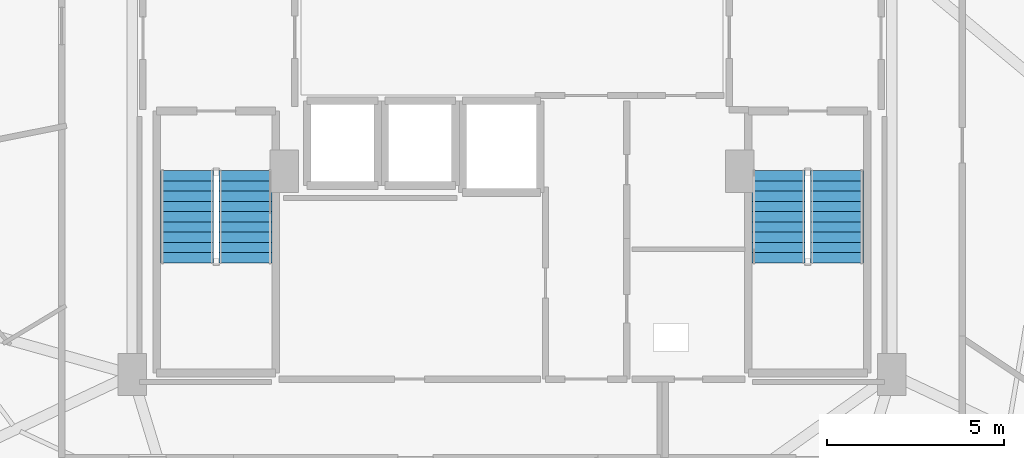
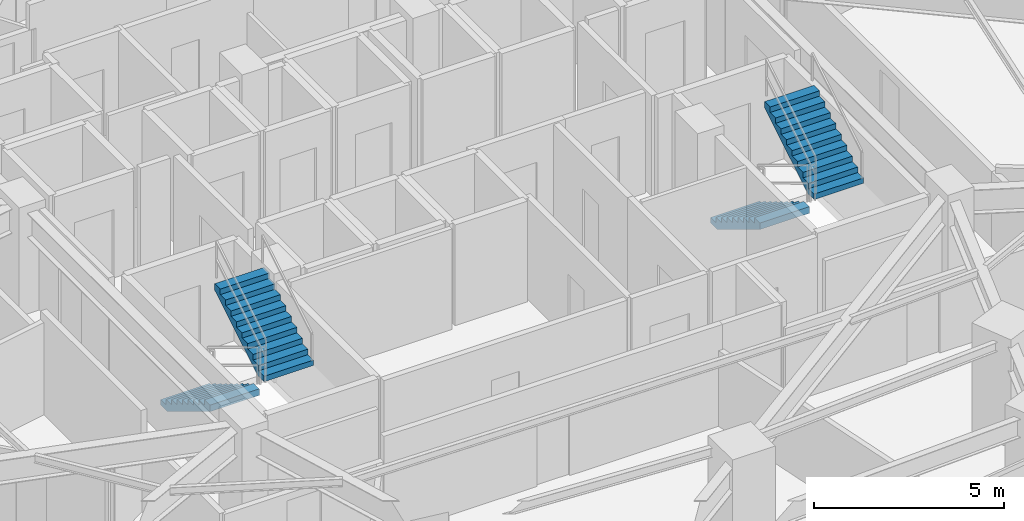
# One storey, part 30 of 33: 4 stair flights, 2 elements without a shape of their own.
"""IFC4 building model written with IfcOpenShell, lengths in metres."""

import ifcopenshell
import ifcopenshell.guid

model = None  # the IFC model being written
_history = None  # IfcOwnerHistory: only IFC2X3 demands one
_inside = {}  # id of a spatial element -> (the spatial element, [elements in it])
_under = {}  # id of a project, library or spatial element -> (it, [spatial elements below it])
_declared = {}  # id of a project -> (the project, [libraries it declares])
_typed = {}  # id of a type object -> (the type object, [elements of that type])
_made_of = {}  # id of a material, layer set ... -> (it, [elements and type objects made of it])


def new_model(schema):
    """Start an empty IFC model of exactly this schema.

    Asked for "IFC4X3", IfcOpenShell would pick the latest addendum, in which some entities
    have other attributes; the version numbers below select the first issue.
    IFC2X3 requires an IfcOwnerHistory on every rooted entity: one is made here for all.
    """
    global model, _history
    if schema == "IFC4X3":
        model = ifcopenshell.file(schema_version=(4, 3, 0, 0))
    else:
        model = ifcopenshell.file(schema=schema)
    _inside.clear()
    _under.clear()
    _declared.clear()
    _typed.clear()
    _made_of.clear()
    _history = None
    if model.schema == "IFC2X3":
        org = make("IfcOrganization", Name="unknown")
        user = make(
            "IfcPersonAndOrganization",
            ThePerson=make("IfcPerson", FamilyName="unknown"),
            TheOrganization=org,
        )
        app = make(
            "IfcApplication",
            ApplicationDeveloper=org,
            Version="unknown",
            ApplicationFullName="unknown",
            ApplicationIdentifier="unknown",
        )
        _history = make(
            "IfcOwnerHistory",
            OwningUser=user,
            OwningApplication=app,
            ChangeAction="ADDED",
            CreationDate=0,
        )
    return model


def make(cls, **values):
    """One entity of the class cls with the attributes given. An attribute that is None is left unset."""
    return model.create_entity(
        cls, **{name: value for name, value in values.items() if value is not None}
    )


def rooted(cls, **values):
    """An entity with a GlobalId (a new one), such as an element, a storey or a relation."""
    return make(cls, GlobalId=ifcopenshell.guid.new(), OwnerHistory=_history, **values)


def si_unit(unit_type, name, prefix=None):
    """IfcSIUnit, for example si_unit("LENGTHUNIT", "METRE", prefix="MILLI")."""
    return make("IfcSIUnit", UnitType=unit_type, Prefix=prefix, Name=name)


def assignment(units):
    """IfcUnitAssignment: the units of a project."""
    return None if units is None else make("IfcUnitAssignment", Units=units)


def point(xyz):
    """IfcCartesianPoint."""
    return None if xyz is None else make("IfcCartesianPoint", Coordinates=xyz)


def direction(xyz):
    """IfcDirection."""
    return None if xyz is None else make("IfcDirection", DirectionRatios=xyz)


def frame(location, z_axis=None, x_axis=None):
    """IfcAxis2Placement3D, a coordinate frame: its origin and axes. An axis left out is left unset."""
    return make(
        "IfcAxis2Placement3D",
        Location=point(location),
        Axis=direction(z_axis),
        RefDirection=direction(x_axis),
    )


def origin():
    """The frame at (0, 0, 0) with its axes left unset."""
    return frame((0.0, 0.0, 0.0))


def place(relative_to, where):
    """IfcLocalPlacement: puts the frame where relative to a parent placement (None: the world)."""
    return make(
        "IfcLocalPlacement", PlacementRelTo=relative_to, RelativePlacement=where
    )


def context(
    kind, dimensions, precision=None, world=None, true_north=None, identifier=None
):
    """IfcGeometricRepresentationContext, for example the 3D "Model" context."""
    return make(
        "IfcGeometricRepresentationContext",
        ContextIdentifier=identifier,
        ContextType=kind,
        CoordinateSpaceDimension=dimensions,
        Precision=precision,
        WorldCoordinateSystem=world,
        TrueNorth=true_north,
    )


def subcontext(parent, identifier, kind, view, scale=None):
    """IfcGeometricRepresentationSubContext, for example "Body" below "Model"."""
    return make(
        "IfcGeometricRepresentationSubContext",
        ContextIdentifier=identifier,
        ContextType=kind,
        ParentContext=parent,
        TargetScale=scale,
        TargetView=view,
    )


def project(units=None, contexts=None):
    """IfcProject with its units and contexts."""
    return rooted(
        "IfcProject",
        Name="project",
        RepresentationContexts=contexts,
        UnitsInContext=assignment(units),
    )


def spatial(cls, under=None, at=None, **own):
    """A site, building, storey or space (cls), placed at a placement, below another one or the project."""
    s = rooted(cls, ObjectPlacement=at, **own)
    if under is not None:
        _under.setdefault(under.id(), (under, []))[1].append(s)
    return s


def polyline(points):
    """IfcPolyline through the points."""
    return make("IfcPolyline", Points=[point(p) for p in points])


def outline(outer, holes=None, kind="AREA"):
    """IfcArbitraryClosedProfileDef: a profile drawn as a closed curve; with holes, ...WithVoids."""
    if holes is None:
        return make("IfcArbitraryClosedProfileDef", ProfileType=kind, OuterCurve=outer)
    return make(
        "IfcArbitraryProfileDefWithVoids",
        ProfileType=kind,
        OuterCurve=outer,
        InnerCurves=holes,
    )


def extrude(swept, where, along, depth):
    """IfcExtrudedAreaSolid: the profile swept, set in the frame where, extruded along a direction by depth."""
    return make(
        "IfcExtrudedAreaSolid",
        SweptArea=swept,
        Position=where,
        ExtrudedDirection=direction(along),
        Depth=depth,
    )


def shape(context_of_items, identifier, shape_type, items):
    """IfcShapeRepresentation: the items that make up one representation, for example the "Body"."""
    return make(
        "IfcShapeRepresentation",
        ContextOfItems=context_of_items,
        RepresentationIdentifier=identifier,
        RepresentationType=shape_type,
        Items=items,
    )


def material(Name=None, Category=None):
    """IfcMaterial."""
    return make("IfcMaterial", Name=Name, Category=Category)


def made_of(thing, what):
    """Note that an element or type object is made of a material, layer set ...; save() writes the relation."""
    if what is not None:
        _made_of.setdefault(what.id(), (what, []))[1].append(thing)
    return thing


def type_object(cls, material=None, **own):
    """A type object (cls), such as IfcWallType, which elements share."""
    return made_of(rooted(cls, **own), material)


def element(
    cls,
    number,
    at=None,
    inside=None,
    cuts=None,
    type_object=None,
    material=None,
    context=None,
    identifier="Body",
    shape_type=None,
    held_by="IfcProductDefinitionShape",
    body=None,
    shapes=None,
    **own,
):
    """One element of the class cls, such as IfcWall. Its Tag is "e" and its number.

    at: its placement. inside: the storey or other place that contains it. cuts: it is an
    opening in that element (IfcRelVoidsElement). A single representation is given by context,
    identifier, shape_type and body (its items); several are given by shapes. held_by: the class
    of the entity that holds the representations. save() writes the other relations.
    """
    e = rooted(cls, Tag="e%d" % number, ObjectPlacement=at, **own)
    if body is not None:
        shapes = [shape(context, identifier, shape_type, body)]
    if shapes is not None:
        e.Representation = make(held_by, Representations=shapes)
    if inside is not None:
        _inside.setdefault(inside.id(), (inside, []))[1].append(e)
    if cuts is not None:
        rooted(
            "IfcRelVoidsElement", RelatingBuildingElement=cuts, RelatedOpeningElement=e
        )
    if type_object is not None:
        _typed.setdefault(type_object.id(), (type_object, []))[1].append(e)
    return made_of(e, material)


def aggregate(whole, parts):
    """IfcRelAggregates: a whole, such as a stair, and the parts it consists of."""
    return rooted("IfcRelAggregates", RelatingObject=whole, RelatedObjects=parts)


def save(model, path):
    """Write the relations noted so far, then the file.

    IfcRelAggregates (storeys below a building ...), IfcRelContainedInSpatialStructure (elements
    in a storey), IfcRelDefinesByType, IfcRelAssociatesMaterial and IfcRelDeclares: one each for
    every whole, place, type object, material and project.
    """
    for whole, parts in _under.values():
        aggregate(whole, parts)
    for where, things in _inside.values():
        rooted(
            "IfcRelContainedInSpatialStructure",
            RelatedElements=things,
            RelatingStructure=where,
        )
    for kind, things in _typed.values():
        rooted("IfcRelDefinesByType", RelatedObjects=things, RelatingType=kind)
    for what, things in _made_of.values():
        rooted("IfcRelAssociatesMaterial", RelatedObjects=things, RelatingMaterial=what)
    for by, libraries in _declared.values():
        rooted("IfcRelDeclares", RelatingContext=by, RelatedDefinitions=libraries)
    model.write(path)


model = new_model("IFC4")

# Units and contexts
model_context = context("Model", 3, precision=1e-05, world=origin(), true_north=direction((0.0, 1.0)))
body_context = subcontext(model_context, "Body", "Model", "MODEL_VIEW")
ifc_project = project(units=[si_unit("LENGTHUNIT", "METRE"), si_unit("AREAUNIT", "SQUARE_METRE"), si_unit("VOLUMEUNIT", "CUBIC_METRE"), si_unit("PLANEANGLEUNIT", "RADIAN"), si_unit("MASSUNIT", "GRAM", prefix="KILO")], contexts=[model_context])

# Site, building, storey
site_placement = place(None, origin())
site = spatial("IfcSite", under=ifc_project, at=site_placement, CompositionType="ELEMENT")
building_placement = place(site_placement, origin())
building = spatial("IfcBuilding", under=site, at=building_placement, Name="Vorneva Point Tower", CompositionType="ELEMENT")
storey_placement = place(building_placement, frame((0.0, 0.0, 38.0)))
storey = spatial("IfcBuildingStorey", under=building, at=storey_placement, Name="L09", CompositionType="ELEMENT", Elevation=38.0)

# Stair, stair flights
ifc_material = material(Name="Concrete B50 (C40/50)", Category="concrete")
stair_type = type_object("IfcStairType", Name="ST-DOG-1500", PredefinedType="HALF_TURN_STAIR", material=ifc_material)
stair_1_placement = place(storey_placement, origin())
stair_1 = element("IfcStair", 1, at=stair_1_placement, inside=storey, type_object=stair_type, Name="L09 ST1", PredefinedType="HALF_TURN_STAIR")
stair_flight_type = type_object("IfcStairFlightType", Name="STF-1500", PredefinedType="STRAIGHT", material=ifc_material)
stair_flight_1_placement = place(storey_placement, frame((28.800048828125, 22.219970703125, 0.0), z_axis=(0.0, 0.0, 1.0), x_axis=(0.0, -1.0, 0.0)))
stair_flight_1 = element("IfcStairFlight", 2, at=stair_flight_1_placement, type_object=stair_flight_type, Name="ST1 flight 1", NumberOfRisers=10, NumberOfTreads=9, PredefinedType="STRAIGHT", RiserHeight=0.175, TreadLength=0.29, context=body_context, shape_type="SweptSolid", body=[
    extrude(outline(polyline([(0.0, 0.0), (0.0, 0.175048828125), (0.2900390625, 0.175048828125), (0.2900390625, 0.35009765625), (0.580078125, 0.35009765625), (0.580078125, 0.52490234375), (0.8701171875, 0.52490234375), (0.8701171875, 0.699951171875), (1.159912109375, 0.699951171875), (1.159912109375, 0.875), (1.449951171875, 0.875), (1.449951171875, 1.050048828125), (1.739990234375, 1.050048828125), (1.739990234375, 1.22509765625), (2.030029296875, 1.22509765625), (2.030029296875, 1.39990234375), (2.320068359375, 1.39990234375), (2.320068359375, 1.574951171875), (2.610107421875, 1.574951171875), (2.610107421875, 1.75), (2.610107421875, 1.36474609375), (0.34814453125, 0.0), (0.0, 0.0)])), frame((0.0, 0.75, 0.0), z_axis=(0.0, -1.0, 0.0), x_axis=(1.0, 0.0, 0.0)), (0.0, 0.0, 1.0), 1.5),
])
stair_flight_2_placement = place(storey_placement, frame((30.449951171875, 19.610107421875, 1.75), z_axis=(0.0, 0.0, 1.0), x_axis=(0.0, 1.0, 0.0)))
stair_flight_2 = element("IfcStairFlight", 3, at=stair_flight_2_placement, type_object=stair_flight_type, Name="ST1 flight 2", NumberOfRisers=10, NumberOfTreads=9, PredefinedType="STRAIGHT", RiserHeight=0.175, TreadLength=0.29, context=body_context, shape_type="SweptSolid", body=[
    extrude(outline(polyline([(0.0, 0.0), (0.0, 0.175048828125), (0.2900390625, 0.175048828125), (0.2900390625, 0.35009765625), (0.580078125, 0.35009765625), (0.580078125, 0.52490234375), (0.8701171875, 0.52490234375), (0.8701171875, 0.699951171875), (1.159912109375, 0.699951171875), (1.159912109375, 0.875), (1.449951171875, 0.875), (1.449951171875, 1.050048828125), (1.739990234375, 1.050048828125), (1.739990234375, 1.22509765625), (2.030029296875, 1.22509765625), (2.030029296875, 1.39990234375), (2.320068359375, 1.39990234375), (2.320068359375, 1.574951171875), (2.610107421875, 1.574951171875), (2.610107421875, 1.75), (2.610107421875, 1.36474609375), (0.34814453125, 0.0), (0.0, 0.0)])), frame((0.0, 0.75, 0.0), z_axis=(0.0, -1.0, 0.0), x_axis=(1.0, 0.0, 0.0)), (0.0, 0.0, 1.0), 1.5),
])
aggregate(stair_1, [stair_flight_1, stair_flight_2])

stair_2_placement = place(storey_placement, origin())
stair_2 = element("IfcStair", 4, at=stair_2_placement, inside=storey, type_object=stair_type, Name="L09 ST2", PredefinedType="HALF_TURN_STAIR")
stair_flight_3_placement = place(storey_placement, frame((45.550048828125, 22.219970703125, 0.0), z_axis=(0.0, 0.0, 1.0), x_axis=(0.0, -1.0, 0.0)))
stair_flight_3 = element("IfcStairFlight", 5, at=stair_flight_3_placement, type_object=stair_flight_type, Name="ST2 flight 1", NumberOfRisers=10, NumberOfTreads=9, PredefinedType="STRAIGHT", RiserHeight=0.175, TreadLength=0.29, context=body_context, shape_type="SweptSolid", body=[
    extrude(outline(polyline([(0.0, 0.0), (0.0, 0.175048828125), (0.2900390625, 0.175048828125), (0.2900390625, 0.35009765625), (0.580078125, 0.35009765625), (0.580078125, 0.52490234375), (0.8701171875, 0.52490234375), (0.8701171875, 0.699951171875), (1.159912109375, 0.699951171875), (1.159912109375, 0.875), (1.449951171875, 0.875), (1.449951171875, 1.050048828125), (1.739990234375, 1.050048828125), (1.739990234375, 1.22509765625), (2.030029296875, 1.22509765625), (2.030029296875, 1.39990234375), (2.320068359375, 1.39990234375), (2.320068359375, 1.574951171875), (2.610107421875, 1.574951171875), (2.610107421875, 1.75), (2.610107421875, 1.36474609375), (0.34814453125, 0.0), (0.0, 0.0)])), frame((0.0, 0.75, 0.0), z_axis=(0.0, -1.0, 0.0), x_axis=(1.0, 0.0, 0.0)), (0.0, 0.0, 1.0), 1.5),
])
stair_flight_4_placement = place(storey_placement, frame((47.199951171875, 19.610107421875, 1.75), z_axis=(0.0, 0.0, 1.0), x_axis=(0.0, 1.0, 0.0)))
stair_flight_4 = element("IfcStairFlight", 6, at=stair_flight_4_placement, type_object=stair_flight_type, Name="ST2 flight 2", NumberOfRisers=10, NumberOfTreads=9, PredefinedType="STRAIGHT", RiserHeight=0.175, TreadLength=0.29, context=body_context, shape_type="SweptSolid", body=[
    extrude(outline(polyline([(0.0, 0.0), (0.0, 0.175048828125), (0.2900390625, 0.175048828125), (0.2900390625, 0.35009765625), (0.580078125, 0.35009765625), (0.580078125, 0.52490234375), (0.8701171875, 0.52490234375), (0.8701171875, 0.699951171875), (1.159912109375, 0.699951171875), (1.159912109375, 0.875), (1.449951171875, 0.875), (1.449951171875, 1.050048828125), (1.739990234375, 1.050048828125), (1.739990234375, 1.22509765625), (2.030029296875, 1.22509765625), (2.030029296875, 1.39990234375), (2.320068359375, 1.39990234375), (2.320068359375, 1.574951171875), (2.610107421875, 1.574951171875), (2.610107421875, 1.75), (2.610107421875, 1.36474609375), (0.34814453125, 0.0), (0.0, 0.0)])), frame((0.0, 0.75, 0.0), z_axis=(0.0, -1.0, 0.0), x_axis=(1.0, 0.0, 0.0)), (0.0, 0.0, 1.0), 1.5),
])
aggregate(stair_2, [stair_flight_3, stair_flight_4])

save(model, "model.ifc")
